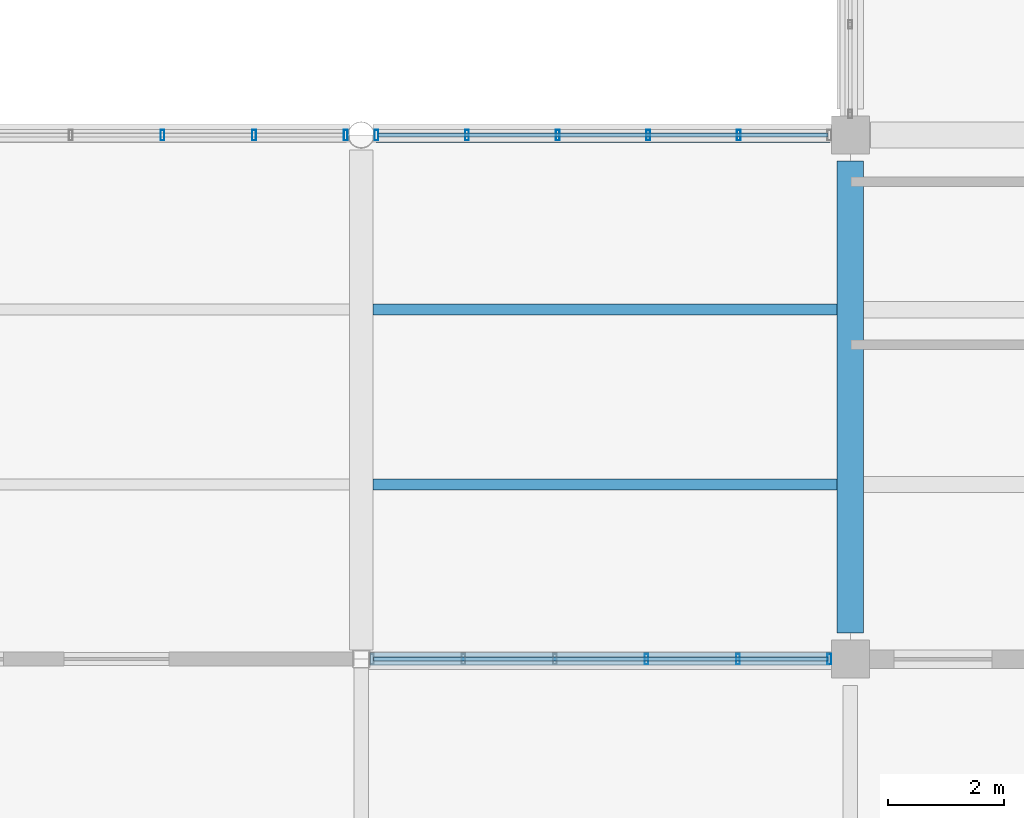
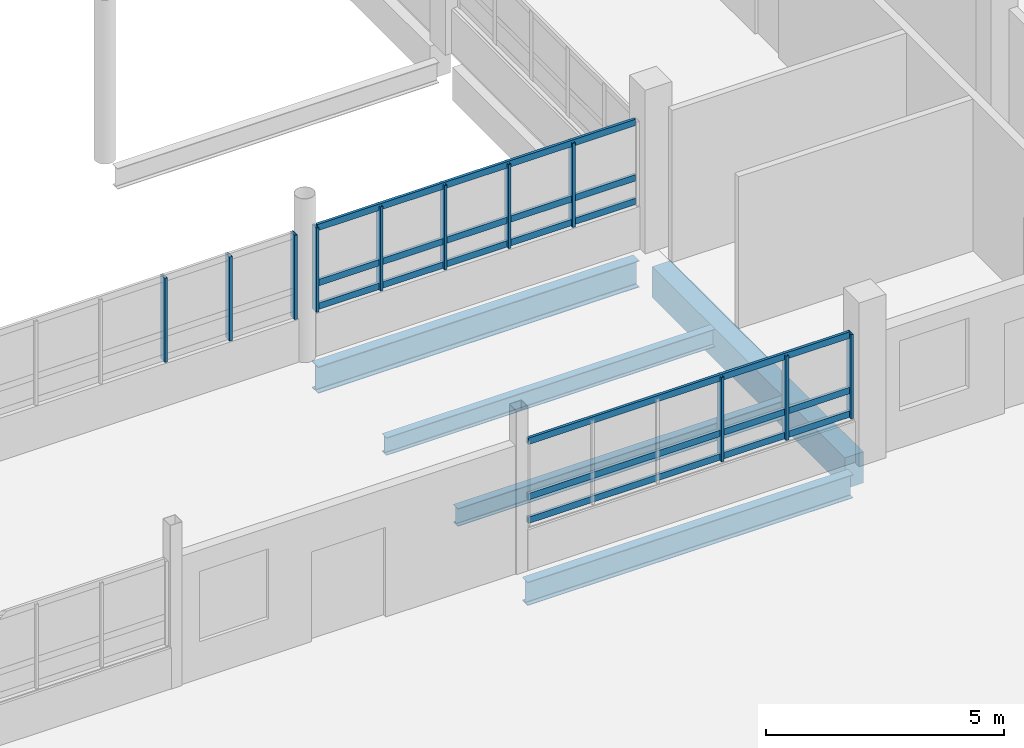
# One storey, part 19 of 101: 17 members, 5 beams, 3 elements without a shape of their own.
"""IFC4 building model written with IfcOpenShell, lengths in metres."""

from ifc_helpers import new_model, si_unit, direction, frame, origin, origin_2d, place, context, subcontext, project, spatial, rectangle, hollow_rectangle, i_section, extrude, material, layer, layer_set, material_profile, profile_set, type_object, element, aggregate, save


model = new_model("IFC4")

# Units and contexts
model_context = context("Model", 3, precision=1e-05, world=origin(), true_north=direction((0.0, 1.0)))
body_context = subcontext(model_context, "Body", "Model", "MODEL_VIEW")
ifc_project = project(units=[si_unit("LENGTHUNIT", "METRE"), si_unit("AREAUNIT", "SQUARE_METRE"), si_unit("VOLUMEUNIT", "CUBIC_METRE"), si_unit("PLANEANGLEUNIT", "RADIAN"), si_unit("MASSUNIT", "GRAM", prefix="KILO")], contexts=[model_context])

# Site, building, storey
site_placement = place(None, origin())
site = spatial("IfcSite", under=ifc_project, at=site_placement, CompositionType="ELEMENT")
building_placement = place(site_placement, origin())
building = spatial("IfcBuilding", under=site, at=building_placement, Name="Vireocrest Preparatory School", CompositionType="ELEMENT")
storey_placement = place(building_placement, frame((0.0, 0.0, 4.800048828125)))
storey = spatial("IfcBuildingStorey", under=building, at=storey_placement, Name="L01", CompositionType="ELEMENT", Elevation=4.800048828125)

# Beams
ifc_material_1 = material(Name="Structural steel ASTM A992 Grade 50", Category="steel")
ifc_material_profile_1 = material_profile(ifc_material_1, i_section(OverallWidth=0.18994140625, OverallDepth=0.45703125, WebThickness=0.009033203125, FlangeThickness=0.014404296875, FilletRadius=0.013916015625, at=origin_2d()), Name="W18X50")
ifc_profile_set_1 = profile_set([ifc_material_profile_1], Name="Structural steel ASTM A992 Grade 50")
beam_type_1 = type_object("IfcBeamType", Name="Bridge Floor Joist W18X50", PredefinedType="JOIST", material=ifc_profile_set_1)
for number, where, z_axis, x_axis, name in (
    (1, (84.199951171875, 21.0, -0.508544921875), (1.0, 0.0, 0.0), (0.0, 1.0, 0.0), "Secondary Joist SJ2 L01-0579"),
    (2, (84.199951171875, 24.0, -0.508544921875), (1.0, 0.0, 0.0), (0.0, 1.0, 0.0), "Secondary Joist SJ2 L01-0580"),
):
    element("IfcBeam", number, at=place(storey_placement, frame(where, z_axis=z_axis, x_axis=x_axis)), inside=storey, type_object=beam_type_1, Name=name, PredefinedType="JOIST", context=body_context, shape_type="SweptSolid", body=[
        extrude(i_section(OverallWidth=0.18994140625, OverallDepth=0.45703125, WebThickness=0.009033203125, FlangeThickness=0.014404296875, FilletRadius=0.013916015625, at=origin_2d()), origin(), (0.0, 0.0, 1.0), 7.97509765625),
    ])
ifc_material_profile_2 = material_profile(ifc_material_1, i_section(OverallWidth=0.25390625, OverallDepth=0.68408203125, WebThickness=0.012451171875, FlangeThickness=0.018798828125, FilletRadius=0.01806640625, at=origin_2d()), Name="W27X94")
ifc_profile_set_2 = profile_set([ifc_material_profile_2], Name="Structural steel ASTM A992 Grade 50")
beam_type_2 = type_object("IfcBeamType", Name="Bridge Primary Steel Girder W27X94", PredefinedType="BEAM", material=ifc_profile_set_2)
beam_1_placement = place(storey_placement, frame((84.25390625, 27.0, -0.6220703125), z_axis=(1.0, 0.0, 0.0), x_axis=(0.0, 1.0, 0.0)))
element("IfcBeam", 3, at=beam_1_placement, inside=storey, type_object=beam_type_2, Name="Primary Girder SB1 L01-0280", PredefinedType="BEAM", context=body_context, shape_type="SweptSolid", body=[
    extrude(i_section(OverallWidth=0.25390625, OverallDepth=0.68408203125, WebThickness=0.012451171875, FlangeThickness=0.018798828125, FilletRadius=0.01806640625, at=origin_2d()), origin(), (0.0, 0.0, 1.0), 7.796142578125),
])

# Curtain wall, members
ifc_material_2 = material(Name="Thermally broken aluminium EN AW-6063-T6", Category="aluminium")
ifc_layer_1 = layer(ifc_material_2, 0.179931640625)
ifc_layer_set_1 = layer_set([ifc_layer_1], Name="Thermally broken aluminium EN AW-6063-T6")
curtain_wall_type_1 = type_object("IfcCurtainWallType", Name="Court Banded Curtain Wall 8400x3600", PredefinedType="USERDEFINED", material=ifc_layer_set_1)
curtain_wall_1_placement = place(storey_placement, origin())
curtain_wall_1 = element("IfcCurtainWall", 4, at=curtain_wall_1_placement, inside=storey, type_object=curtain_wall_type_1, Name="Curtain Wall CW01 CW_L01_CW01_0841_0180_059", ObjectType="CURTAIN WALL", PredefinedType="USERDEFINED")
ifc_material_profile_3 = material_profile(ifc_material_2, hollow_rectangle(XDim=0.06494140625, YDim=0.179931640625, WallThickness=0.00390625, at=origin_2d()), Name="ALU 65x180x4")
ifc_profile_set_3 = profile_set([ifc_material_profile_3], Name="Thermally broken aluminium EN AW-6063-T6")
member_type_1 = type_object("IfcMemberType", Name="CW Mullion 65x180x4", PredefinedType="MULLION", material=ifc_profile_set_3)
member_1_placement = place(storey_placement, frame((88.89892578125, 18.0, 1.099853515625), z_axis=(0.0, 0.0, 1.0), x_axis=(1.0, 0.0, 0.0)))
member_1 = element("IfcMember", 5, at=member_1_placement, type_object=member_type_1, Name="CW Mullion ML2 CW_L01_CW01_0841_0180_059-4", PredefinedType="MULLION", context=body_context, shape_type="SweptSolid", body=[
    extrude(hollow_rectangle(XDim=0.06494140625, YDim=0.179931640625, WallThickness=0.00390625, at=origin_2d()), origin(), (0.0, 0.0, 1.0), 2.1611328125),
])
member_2_placement = place(storey_placement, frame((90.469482421875, 18.0, 1.099853515625), z_axis=(0.0, 0.0, 1.0), x_axis=(1.0, 0.0, 0.0)))
member_2 = element("IfcMember", 6, at=member_2_placement, type_object=member_type_1, Name="CW Mullion ML2 CW_L01_CW01_0841_0180_059-5", PredefinedType="MULLION", context=body_context, shape_type="SweptSolid", body=[
    extrude(hollow_rectangle(XDim=0.06494140625, YDim=0.179931640625, WallThickness=0.00390625, at=origin_2d()), origin(), (0.0, 0.0, 1.0), 2.1611328125),
])
member_3_placement = place(storey_placement, frame((92.0400390625, 18.0, 1.099853515625), z_axis=(0.0, 0.0, 1.0), x_axis=(1.0, 0.0, 0.0)))
member_3 = element("IfcMember", 7, at=member_3_placement, type_object=member_type_1, Name="CW Mullion ML2 CW_L01_CW01_0841_0180_059-6", PredefinedType="MULLION", context=body_context, shape_type="SweptSolid", body=[
    extrude(hollow_rectangle(XDim=0.06494140625, YDim=0.179931640625, WallThickness=0.00390625, at=origin_2d()), origin(), (0.0, 0.0, 1.0), 2.1611328125),
])

ifc_layer_2 = layer(ifc_material_2, 0.179931640625)
ifc_layer_set_2 = layer_set([ifc_layer_2], Name="Thermally broken aluminium EN AW-6063-T6")
curtain_wall_type_2 = type_object("IfcCurtainWallType", Name="Bridge Link Glazing Wall 9000x3600", PredefinedType="USERDEFINED", material=ifc_layer_set_2)
curtain_wall_2_placement = place(storey_placement, origin())
curtain_wall_2 = element("IfcCurtainWall", 8, at=curtain_wall_2_placement, inside=storey, type_object=curtain_wall_type_2, Name="Curtain Wall CW12 CW_L01_CW12_0758_0270_059", ObjectType="CURTAIN WALL", PredefinedType="USERDEFINED")
member_4_placement = place(storey_placement, frame((80.58740234375, 27.0, 1.099853515625), z_axis=(0.0, 0.0, 1.0), x_axis=(1.0, 0.0, 0.0)))
member_4 = element("IfcMember", 9, at=member_4_placement, type_object=member_type_1, Name="CW Mullion ML2 CW_L01_CW12_0758_0270_059-4", PredefinedType="MULLION", context=body_context, shape_type="SweptSolid", body=[
    extrude(hollow_rectangle(XDim=0.06494140625, YDim=0.179931640625, WallThickness=0.00390625, at=origin_2d()), origin(), (0.0, 0.0, 1.0), 2.1611328125),
])
member_5_placement = place(storey_placement, frame((82.161865234375, 27.0, 1.099853515625), z_axis=(0.0, 0.0, 1.0), x_axis=(1.0, 0.0, 0.0)))
member_5 = element("IfcMember", 10, at=member_5_placement, type_object=member_type_1, Name="CW Mullion ML2 CW_L01_CW12_0758_0270_059-5", PredefinedType="MULLION", context=body_context, shape_type="SweptSolid", body=[
    extrude(hollow_rectangle(XDim=0.06494140625, YDim=0.179931640625, WallThickness=0.00390625, at=origin_2d()), origin(), (0.0, 0.0, 1.0), 2.1611328125),
])
member_6_placement = place(storey_placement, frame((83.736328125, 27.0, 1.099853515625), z_axis=(0.0, 0.0, 1.0), x_axis=(1.0, 0.0, 0.0)))
member_6 = element("IfcMember", 11, at=member_6_placement, type_object=member_type_1, Name="CW Mullion ML2 CW_L01_CW12_0758_0270_059-6", PredefinedType="MULLION", context=body_context, shape_type="SweptSolid", body=[
    extrude(hollow_rectangle(XDim=0.06494140625, YDim=0.179931640625, WallThickness=0.00390625, at=origin_2d()), origin(), (0.0, 0.0, 1.0), 2.1611328125),
])
aggregate(curtain_wall_2, [member_4, member_5, member_6])

curtain_wall_3_placement = place(storey_placement, origin())
curtain_wall_3 = element("IfcCurtainWall", 12, at=curtain_wall_3_placement, inside=storey, type_object=curtain_wall_type_2, Name="Curtain Wall CW12 CW_L01_CW12_0842_0270_059", ObjectType="CURTAIN WALL", PredefinedType="USERDEFINED")
member_7_placement = place(storey_placement, frame((84.263671875, 27.0, 1.099853515625), z_axis=(0.0, 0.0, 1.0), x_axis=(1.0, 0.0, 0.0)))
member_7 = element("IfcMember", 13, at=member_7_placement, type_object=member_type_1, Name="CW Mullion ML2 CW_L01_CW12_0842_0270_059-1", PredefinedType="MULLION", context=body_context, shape_type="SweptSolid", body=[
    extrude(hollow_rectangle(XDim=0.06494140625, YDim=0.179931640625, WallThickness=0.00390625, at=origin_2d()), origin(), (0.0, 0.0, 1.0), 2.1611328125),
])
member_8_placement = place(storey_placement, frame((85.81884765625, 27.0, 1.099853515625), z_axis=(0.0, 0.0, 1.0), x_axis=(1.0, 0.0, 0.0)))
member_8 = element("IfcMember", 14, at=member_8_placement, type_object=member_type_1, Name="CW Mullion ML2 CW_L01_CW12_0842_0270_059-2", PredefinedType="MULLION", context=body_context, shape_type="SweptSolid", body=[
    extrude(hollow_rectangle(XDim=0.06494140625, YDim=0.179931640625, WallThickness=0.00390625, at=origin_2d()), origin(), (0.0, 0.0, 1.0), 2.1611328125),
])
member_9_placement = place(storey_placement, frame((87.374267578125, 27.0, 1.099853515625), z_axis=(0.0, 0.0, 1.0), x_axis=(1.0, 0.0, 0.0)))
member_9 = element("IfcMember", 15, at=member_9_placement, type_object=member_type_1, Name="CW Mullion ML2 CW_L01_CW12_0842_0270_059-3", PredefinedType="MULLION", context=body_context, shape_type="SweptSolid", body=[
    extrude(hollow_rectangle(XDim=0.06494140625, YDim=0.179931640625, WallThickness=0.00390625, at=origin_2d()), origin(), (0.0, 0.0, 1.0), 2.1611328125),
])
member_10_placement = place(storey_placement, frame((88.929443359375, 27.0, 1.099853515625), z_axis=(0.0, 0.0, 1.0), x_axis=(1.0, 0.0, 0.0)))
member_10 = element("IfcMember", 16, at=member_10_placement, type_object=member_type_1, Name="CW Mullion ML2 CW_L01_CW12_0842_0270_059-4", PredefinedType="MULLION", context=body_context, shape_type="SweptSolid", body=[
    extrude(hollow_rectangle(XDim=0.06494140625, YDim=0.179931640625, WallThickness=0.00390625, at=origin_2d()), origin(), (0.0, 0.0, 1.0), 2.1611328125),
])
member_11_placement = place(storey_placement, frame((90.484619140625, 27.0, 1.099853515625), z_axis=(0.0, 0.0, 1.0), x_axis=(1.0, 0.0, 0.0)))
member_11 = element("IfcMember", 17, at=member_11_placement, type_object=member_type_1, Name="CW Mullion ML2 CW_L01_CW12_0842_0270_059-5", PredefinedType="MULLION", context=body_context, shape_type="SweptSolid", body=[
    extrude(hollow_rectangle(XDim=0.06494140625, YDim=0.179931640625, WallThickness=0.00390625, at=origin_2d()), origin(), (0.0, 0.0, 1.0), 2.1611328125),
])

# Member
ifc_material_profile_4 = material_profile(ifc_material_2, hollow_rectangle(XDim=0.06494140625, YDim=0.1650390625, WallThickness=0.00390625, at=origin_2d()), Name="ALU 65x165x4")
ifc_profile_set_4 = profile_set([ifc_material_profile_4], Name="Thermally broken aluminium EN AW-6063-T6")
member_type_2 = type_object("IfcMemberType", Name="CW Transom 65x165x4", PredefinedType="USERDEFINED", material=ifc_profile_set_4)
member_12_placement = place(storey_placement, frame((84.21240234375, 18.0, 1.195068359375), z_axis=(1.0, 0.0, 0.0), x_axis=(0.0, 1.0, 0.0)))
member_12 = element("IfcMember", 18, at=member_12_placement, type_object=member_type_2, Name="CW Transom TR2 CW_L01_CW01_0841_0180_059-1", ObjectType="TRANSOM", PredefinedType="USERDEFINED", context=body_context, shape_type="SweptSolid", body=[
    extrude(hollow_rectangle(XDim=0.06494140625, YDim=0.1650390625, WallThickness=0.00390625, at=origin_2d()), origin(), (0.0, 0.0, 1.0), 7.802490234375),
])

member_13_placement = place(storey_placement, frame((84.21240234375, 18.0, 1.800048828125), z_axis=(1.0, 0.0, 0.0), x_axis=(0.0, 1.0, 0.0)))
member_13 = element("IfcMember", 19, at=member_13_placement, type_object=member_type_2, Name="CW Transom TR2 CW_L01_CW01_0841_0180_059-2", ObjectType="TRANSOM", PredefinedType="USERDEFINED", context=body_context, shape_type="SweptSolid", body=[
    extrude(hollow_rectangle(XDim=0.06494140625, YDim=0.1650390625, WallThickness=0.00390625, at=origin_2d()), origin(), (0.0, 0.0, 1.0), 7.802490234375),
])

member_14_placement = place(storey_placement, frame((84.21240234375, 18.0, 3.220947265625), z_axis=(1.0, 0.0, 0.0), x_axis=(0.0, 1.0, 0.0)))
member_14 = element("IfcMember", 20, at=member_14_placement, type_object=member_type_2, Name="CW Transom TR2 CW_L01_CW01_0841_0180_059-3", ObjectType="TRANSOM", PredefinedType="USERDEFINED", context=body_context, shape_type="SweptSolid", body=[
    extrude(hollow_rectangle(XDim=0.06494140625, YDim=0.1650390625, WallThickness=0.00390625, at=origin_2d()), origin(), (0.0, 0.0, 1.0), 7.802490234375),
])

aggregate(curtain_wall_1, [member_1, member_2, member_3, member_12, member_13, member_14])

member_15_placement = place(storey_placement, frame((84.28857421875, 27.0, 1.195068359375), z_axis=(1.0, 0.0, 0.0), x_axis=(0.0, 1.0, 0.0)))
member_15 = element("IfcMember", 21, at=member_15_placement, type_object=member_type_2, Name="CW Transom TR2 CW_L01_CW12_0842_0270_059-1", ObjectType="TRANSOM", PredefinedType="USERDEFINED", context=body_context, shape_type="SweptSolid", body=[
    extrude(hollow_rectangle(XDim=0.06494140625, YDim=0.1650390625, WallThickness=0.00390625, at=origin_2d()), origin(), (0.0, 0.0, 1.0), 7.726318359375),
])

member_16_placement = place(storey_placement, frame((84.28857421875, 27.0, 1.800048828125), z_axis=(1.0, 0.0, 0.0), x_axis=(0.0, 1.0, 0.0)))
member_16 = element("IfcMember", 22, at=member_16_placement, type_object=member_type_2, Name="CW Transom TR2 CW_L01_CW12_0842_0270_059-2", ObjectType="TRANSOM", PredefinedType="USERDEFINED", context=body_context, shape_type="SweptSolid", body=[
    extrude(hollow_rectangle(XDim=0.06494140625, YDim=0.1650390625, WallThickness=0.00390625, at=origin_2d()), origin(), (0.0, 0.0, 1.0), 7.726318359375),
])

member_17_placement = place(storey_placement, frame((84.28857421875, 27.0, 3.220947265625), z_axis=(1.0, 0.0, 0.0), x_axis=(0.0, 1.0, 0.0)))
member_17 = element("IfcMember", 23, at=member_17_placement, type_object=member_type_2, Name="CW Transom TR2 CW_L01_CW12_0842_0270_059-3", ObjectType="TRANSOM", PredefinedType="USERDEFINED", context=body_context, shape_type="SweptSolid", body=[
    extrude(hollow_rectangle(XDim=0.06494140625, YDim=0.1650390625, WallThickness=0.00390625, at=origin_2d()), origin(), (0.0, 0.0, 1.0), 7.726318359375),
])

aggregate(curtain_wall_3, [member_7, member_8, member_9, member_10, member_11, member_15, member_16, member_17])

# Beams
ifc_material_profile_5 = material_profile(ifc_material_1, i_section(OverallWidth=0.22802734375, OverallDepth=0.60302734375, WebThickness=0.010498046875, FlangeThickness=0.014892578125, FilletRadius=0.01611328125, at=origin_2d()), Name="W24X68")
ifc_profile_set_5 = profile_set([ifc_material_profile_5], Name="Structural steel ASTM A992 Grade 50")
beam_type_3 = type_object("IfcBeamType", Name="Dining Pavilion Roof Girder W24X68", PredefinedType="BEAM", material=ifc_profile_set_5)
beam_2_placement = place(storey_placement, frame((84.15234375, 18.0, -0.62158203125), z_axis=(1.0, 0.0, 0.0), x_axis=(0.0, 1.0, 0.0)))
element("IfcBeam", 24, at=beam_2_placement, inside=storey, type_object=beam_type_3, Name="Primary Girder SB4 L01-0266", PredefinedType="BEAM", context=body_context, shape_type="SweptSolid", body=[
    extrude(i_section(OverallWidth=0.22802734375, OverallDepth=0.60302734375, WebThickness=0.010498046875, FlangeThickness=0.014892578125, FilletRadius=0.01611328125, at=origin_2d()), origin(), (0.0, 0.0, 1.0), 7.897705078125),
])
ifc_material_3 = material(Name="Concrete 40 MPa", Category="concrete")
ifc_material_profile_6 = material_profile(ifc_material_3, rectangle(XDim=0.449951171875, YDim=0.800048828125, at=origin_2d()), Name="RC 450x800")
ifc_profile_set_6 = profile_set([ifc_material_profile_6], Name="Concrete 40 MPa")
beam_type_4 = type_object("IfcBeamType", Name="RC Library Stack Girder 450x800", PredefinedType="BEAM", material=ifc_profile_set_6)
beam_3_placement = place(storey_placement, frame((92.39990234375, 18.449951171875, -0.679931640625), z_axis=(0.0, 1.0, 0.0), x_axis=(-1.0, 0.0, 0.0)))
element("IfcBeam", 25, at=beam_3_placement, inside=storey, type_object=beam_type_4, Name="Primary Girder B12 L01-0437", PredefinedType="BEAM", context=body_context, shape_type="SweptSolid", body=[
    extrude(rectangle(XDim=0.449951171875, YDim=0.800048828125, at=origin_2d()), origin(), (0.0, 0.0, 1.0), 8.10009765625),
])

save(model, "model.ifc")
